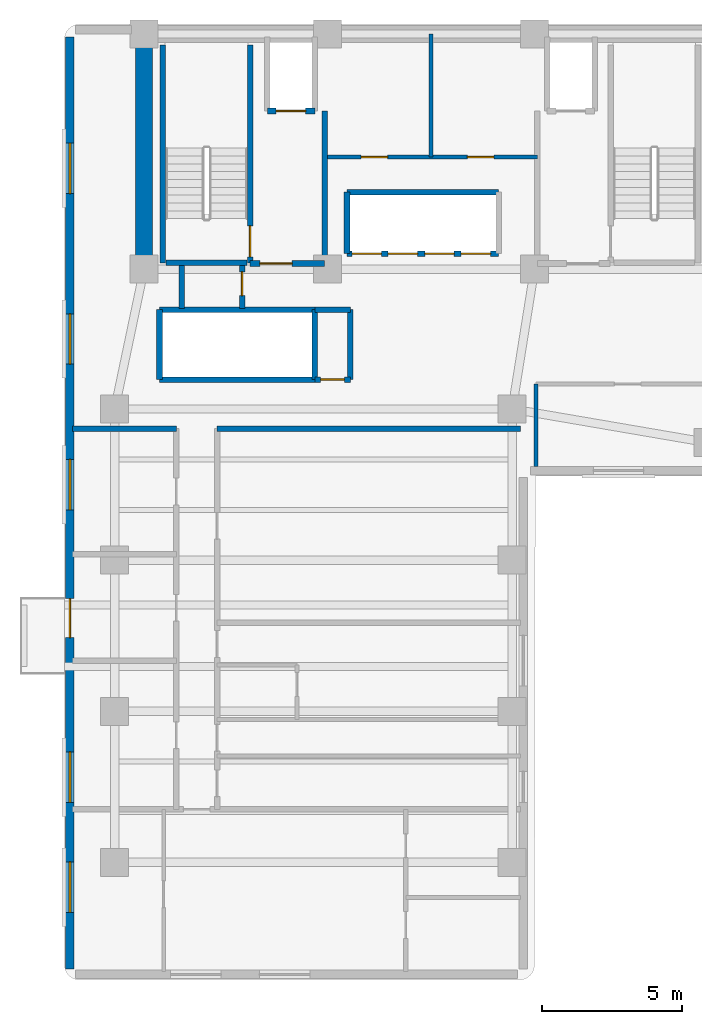
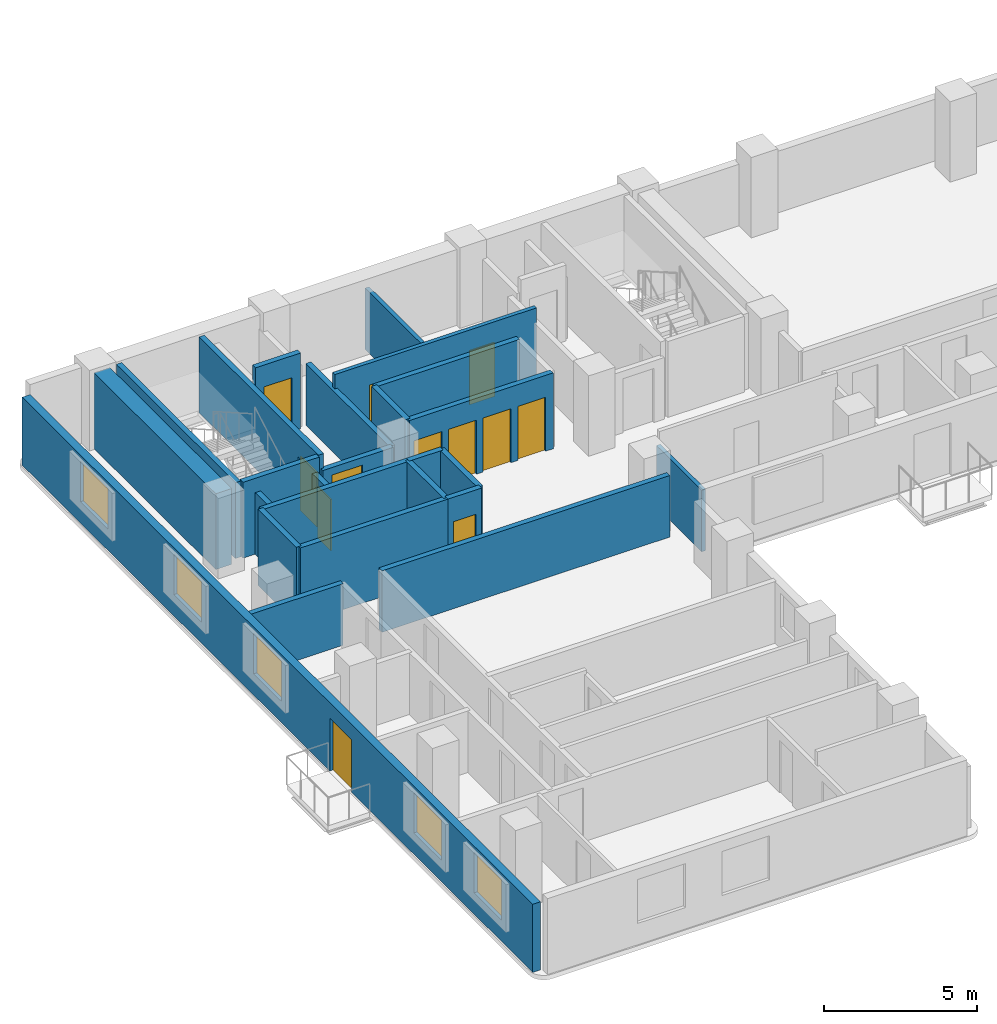
# One storey, part 3 of 7: 25 walls, 12 doors, 5 windows, 17 openings.
"""IFC4 building model written with IfcOpenShell, lengths in metres."""

from ifc_helpers import new_model, si_unit, direction, frame, frame_2d, origin, place, context, subcontext, project, spatial, rectangle, extrude, material, layer, layer_set, type_object, element, fill, save


model = new_model("IFC4")

# Units and contexts
model_context = context("Model", 3, precision=1e-05, world=origin(), true_north=direction((0.0, 1.0)))
body_context = subcontext(model_context, "Body", "Model", "MODEL_VIEW")
ifc_project = project(units=[si_unit("LENGTHUNIT", "METRE"), si_unit("AREAUNIT", "SQUARE_METRE"), si_unit("VOLUMEUNIT", "CUBIC_METRE"), si_unit("PLANEANGLEUNIT", "RADIAN"), si_unit("MASSUNIT", "GRAM", prefix="KILO")], contexts=[model_context])

# Site, building, storey
site_placement = place(None, origin())
site = spatial("IfcSite", under=ifc_project, at=site_placement, CompositionType="ELEMENT")
building_placement = place(site_placement, origin())
building = spatial("IfcBuilding", under=site, at=building_placement, Name="Kuzgunbayir Cultural Tower", CompositionType="ELEMENT")
storey_placement = place(building_placement, frame((0.0, 0.0, 139.39990234375)))
storey = spatial("IfcBuildingStorey", under=building, at=storey_placement, Name="L40", CompositionType="ELEMENT", Elevation=139.39990234375)

# Wall
ifc_material_1 = material(Name="Concrete C60/75", Category="concrete")
ifc_layer_1 = layer(ifc_material_1, 0.60009765625)
ifc_layer_set_1 = layer_set([ifc_layer_1], Name="Concrete C60/75")
wall_type_1 = type_object("IfcWallType", Name="WAL-CORE-600", PredefinedType="SHEAR", material=ifc_layer_set_1)
wall_1_placement = place(storey_placement, frame((6.449951171875, 33.800048828125, 0.0), z_axis=(0.0, 0.0, 1.0), x_axis=(0.0, 1.0, 0.0)))
element("IfcWall", 1, at=wall_1_placement, inside=storey, type_object=wall_type_1, Name="L40 T1 Core West Shear Wall", PredefinedType="SHEAR", context=body_context, shape_type="SweptSolid", body=[
    extrude(rectangle(XDim=7.949951171875, YDim=0.60009765625, at=frame_2d((3.97509765625, 0.0))), origin(), (0.0, 0.0, 1.0), 3.02001953125),
])

# Wall, openings, door, windows
ifc_material_2 = material(Name="Anatolian Cream Limestone", Category="masonry")
ifc_layer_2 = layer(ifc_material_2, 0.300048828125)
ifc_layer_set_2 = layer_set([ifc_layer_2], Name="Anatolian Cream Limestone")
wall_type_2 = type_object("IfcWallType", Name="WAL-EXT-STONE-300", PredefinedType="STANDARD", material=ifc_layer_set_2)
wall_2_placement = place(storey_placement, frame((3.800048828125, 42.10009765625, 0.0), z_axis=(0.0, 0.0, 1.0), x_axis=(0.0, -1.0, 0.0)))
wall_2 = element("IfcWall", 2, at=wall_2_placement, inside=storey, type_object=wall_type_2, Name="L40 Wing A West Limestone Wall", PredefinedType="STANDARD", context=body_context, shape_type="SweptSolid", body=[
    extrude(rectangle(XDim=33.300048828125, YDim=0.300048828125, at=frame_2d((16.64990234375, 0.0))), origin(), (0.0, 0.0, 1.0), 2.710205078125),
])
opening_1_placement = place(wall_2_placement, frame((20.070068359375, 0.0, 0.0)))
opening_1 = element("IfcOpeningElement", 3, at=opening_1_placement, cuts=wall_2, Name="Opening BD-15", PredefinedType="OPENING", context=body_context, shape_type="SweptSolid", body=[
    extrude(rectangle(XDim=1.39990234375, YDim=2.10009765625, at=frame_2d((0.699951171875, 1.050048828125))), frame((0.0, 0.16015625, 0.0), z_axis=(0.0, -1.0, 0.0), x_axis=(1.0, 0.0, 0.0)), (0.0, 0.0, 1.0), 0.320068359375),
])
opening_2_placement = place(wall_2_placement, frame((29.47998046875, 0.0, 0.85009765625)))
opening_2 = element("IfcOpeningElement", 4, at=opening_2_placement, cuts=wall_2, Name="Opening WH-18", PredefinedType="OPENING", context=body_context, shape_type="SweptSolid", body=[
    extrude(rectangle(XDim=1.800048828125, YDim=1.610107421875, at=frame_2d((0.89990234375, 0.80517578125))), frame((0.0, 0.16015625, 0.0), z_axis=(0.0, -1.0, 0.0), x_axis=(1.0, 0.0, 0.0)), (0.0, 0.0, 1.0), 0.320068359375),
])
opening_3_placement = place(wall_2_placement, frame((25.550048828125, 0.0, 0.85009765625)))
opening_3 = element("IfcOpeningElement", 5, at=opening_3_placement, cuts=wall_2, Name="Opening WH-18", PredefinedType="OPENING", context=body_context, shape_type="SweptSolid", body=[
    extrude(rectangle(XDim=1.800048828125, YDim=1.610107421875, at=frame_2d((0.89990234375, 0.80517578125))), frame((0.0, 0.16015625, 0.0), z_axis=(0.0, -1.0, 0.0), x_axis=(1.0, 0.0, 0.0)), (0.0, 0.0, 1.0), 0.320068359375),
])
opening_4_placement = place(wall_2_placement, frame((15.10009765625, 0.0, 0.85009765625)))
opening_4 = element("IfcOpeningElement", 6, at=opening_4_placement, cuts=wall_2, Name="Opening WH-18", PredefinedType="OPENING", context=body_context, shape_type="SweptSolid", body=[
    extrude(rectangle(XDim=1.800048828125, YDim=1.610107421875, at=frame_2d((0.89990234375, 0.80517578125))), frame((0.0, 0.16015625, 0.0), z_axis=(0.0, -1.0, 0.0), x_axis=(1.0, 0.0, 0.0)), (0.0, 0.0, 1.0), 0.320068359375),
])
opening_5_placement = place(wall_2_placement, frame((9.89990234375, 0.0, 0.85009765625)))
opening_5 = element("IfcOpeningElement", 7, at=opening_5_placement, cuts=wall_2, Name="Opening WH-18", PredefinedType="OPENING", context=body_context, shape_type="SweptSolid", body=[
    extrude(rectangle(XDim=1.800048828125, YDim=1.610107421875, at=frame_2d((0.89990234375, 0.80517578125))), frame((0.0, 0.16015625, 0.0), z_axis=(0.0, -1.0, 0.0), x_axis=(1.0, 0.0, 0.0)), (0.0, 0.0, 1.0), 0.320068359375),
])
opening_6_placement = place(wall_2_placement, frame((3.800048828125, 0.0, 0.85009765625)))
opening_6 = element("IfcOpeningElement", 8, at=opening_6_placement, cuts=wall_2, Name="Opening WH-18", PredefinedType="OPENING", context=body_context, shape_type="SweptSolid", body=[
    extrude(rectangle(XDim=1.800048828125, YDim=1.610107421875, at=frame_2d((0.89990234375, 0.80517578125))), frame((0.0, 0.16015625, 0.0), z_axis=(0.0, -1.0, 0.0), x_axis=(1.0, 0.0, 0.0)), (0.0, 0.0, 1.0), 0.320068359375),
])
ifc_material_3 = material(Name="Thermally Broken Glazed Aluminium", Category="aluminium")
door_type_1 = type_object("IfcDoorType", Name="DR-BALCONY-150", OperationType="SLIDING_TO_RIGHT", PredefinedType="DOOR", material=ifc_material_3)
door_1_placement = place(opening_1_placement, origin())
door_1 = element("IfcDoor", 9, at=door_1_placement, inside=storey, type_object=door_type_1, Name="L40 West Balcony Sliding Door BAL-L40-WA2", OperationType="SLIDING_TO_RIGHT", OverallHeight=2.10009765625, OverallWidth=1.39990234375, PredefinedType="DOOR", context=body_context, shape_type="SweptSolid", body=[
    extrude(rectangle(XDim=1.39990234375, YDim=2.10009765625, at=frame_2d((0.699951171875, 1.050048828125))), frame((0.0, 0.02490234375, 0.0), z_axis=(0.0, -1.0, 0.0), x_axis=(1.0, 0.0, 0.0)), (0.0, 0.0, 1.0), 0.050048828125),
])
fill(opening_1, door_1)
ifc_material_4 = material(Name="Solar-Control Triple Glazing", Category="glass")
window_type = type_object("IfcWindowType", Name="WIN-HOTEL-18", PartitioningType="SINGLE_PANEL", PredefinedType="WINDOW", material=ifc_material_4)
window_1_placement = place(opening_2_placement, origin())
window_1 = element("IfcWindow", 10, at=window_1_placement, inside=storey, type_object=window_type, Name="L40 WAW Facade Window 1", OverallHeight=1.610107421875, OverallWidth=1.800048828125, PartitioningType="SINGLE_PANEL", PredefinedType="WINDOW", context=body_context, shape_type="SweptSolid", body=[
    extrude(rectangle(XDim=1.800048828125, YDim=1.610107421875, at=frame_2d((0.89990234375, 0.80517578125))), frame((0.0, 0.030029296875, 0.0), z_axis=(0.0, -1.0, 0.0), x_axis=(1.0, 0.0, 0.0)), (0.0, 0.0, 1.0), 0.06005859375),
])
fill(opening_2, window_1)
window_2_placement = place(opening_3_placement, origin())
window_2 = element("IfcWindow", 11, at=window_2_placement, inside=storey, type_object=window_type, Name="L40 WAW Facade Window 6", OverallHeight=1.610107421875, OverallWidth=1.800048828125, PartitioningType="SINGLE_PANEL", PredefinedType="WINDOW", context=body_context, shape_type="SweptSolid", body=[
    extrude(rectangle(XDim=1.800048828125, YDim=1.610107421875, at=frame_2d((0.89990234375, 0.80517578125))), frame((0.0, 0.030029296875, 0.0), z_axis=(0.0, -1.0, 0.0), x_axis=(1.0, 0.0, 0.0)), (0.0, 0.0, 1.0), 0.06005859375),
])
fill(opening_3, window_2)
window_3_placement = place(opening_4_placement, origin())
window_3 = element("IfcWindow", 12, at=window_3_placement, inside=storey, type_object=window_type, Name="L40 WAW Facade Window 7", OverallHeight=1.610107421875, OverallWidth=1.800048828125, PartitioningType="SINGLE_PANEL", PredefinedType="WINDOW", context=body_context, shape_type="SweptSolid", body=[
    extrude(rectangle(XDim=1.800048828125, YDim=1.610107421875, at=frame_2d((0.89990234375, 0.80517578125))), frame((0.0, 0.030029296875, 0.0), z_axis=(0.0, -1.0, 0.0), x_axis=(1.0, 0.0, 0.0)), (0.0, 0.0, 1.0), 0.06005859375),
])
fill(opening_4, window_3)
window_4_placement = place(opening_5_placement, origin())
window_4 = element("IfcWindow", 13, at=window_4_placement, inside=storey, type_object=window_type, Name="L40 WAW Facade Window 8", OverallHeight=1.610107421875, OverallWidth=1.800048828125, PartitioningType="SINGLE_PANEL", PredefinedType="WINDOW", context=body_context, shape_type="SweptSolid", body=[
    extrude(rectangle(XDim=1.800048828125, YDim=1.610107421875, at=frame_2d((0.89990234375, 0.80517578125))), frame((0.0, 0.030029296875, 0.0), z_axis=(0.0, -1.0, 0.0), x_axis=(1.0, 0.0, 0.0)), (0.0, 0.0, 1.0), 0.06005859375),
])
fill(opening_5, window_4)
window_5_placement = place(opening_6_placement, origin())
window_5 = element("IfcWindow", 14, at=window_5_placement, inside=storey, type_object=window_type, Name="L40 WAW Facade Window 9", OverallHeight=1.610107421875, OverallWidth=1.800048828125, PartitioningType="SINGLE_PANEL", PredefinedType="WINDOW", context=body_context, shape_type="SweptSolid", body=[
    extrude(rectangle(XDim=1.800048828125, YDim=1.610107421875, at=frame_2d((0.89990234375, 0.80517578125))), frame((0.0, 0.030029296875, 0.0), z_axis=(0.0, -1.0, 0.0), x_axis=(1.0, 0.0, 0.0)), (0.0, 0.0, 1.0), 0.06005859375),
])
fill(opening_6, window_5)

# Wall, openings, doors
ifc_material_5 = material(Name="Acoustic Double-Stud Drywall", Category="gypsum")
ifc_layer_3 = layer(ifc_material_5, 0.14990234375)
ifc_layer_set_3 = layer_set([ifc_layer_3], Name="Acoustic Double-Stud Drywall")
wall_type_3 = type_object("IfcWallType", Name="WAL-PART-ACOUSTIC-150", PredefinedType="PARTITIONING", material=ifc_layer_set_3)
wall_3_placement = place(storey_placement, frame((12.89990234375, 37.800048828125, 0.0), z_axis=(0.0, 0.0, 1.0), x_axis=(1.0, 0.0, 0.0)))
wall_3 = element("IfcWall", 15, at=wall_3_placement, inside=storey, type_object=wall_type_3, Name="L40 Repurposed Core Suite Wall", PredefinedType="PARTITIONING", context=body_context, shape_type="SweptSolid", body=[
    extrude(rectangle(XDim=7.60009765625, YDim=0.14990234375, at=frame_2d((3.800048828125, 0.0))), origin(), (0.0, 0.0, 1.0), 3.02001953125),
])
opening_7_placement = place(wall_3_placement, frame((1.300048828125, 0.0, 0.0)))
opening_7 = element("IfcOpeningElement", 16, at=opening_7_placement, cuts=wall_3, Name="Opening DC-95", PredefinedType="OPENING", context=body_context, shape_type="SweptSolid", body=[
    extrude(rectangle(XDim=0.949951171875, YDim=2.14990234375, at=frame_2d((0.47509765625, 1.074951171875))), frame((0.0, 0.0849609375, 0.0), z_axis=(0.0, -1.0, 0.0), x_axis=(1.0, 0.0, 0.0)), (0.0, 0.0, 1.0), 0.169921875),
])
opening_8_placement = place(wall_3_placement, frame((5.10009765625, 0.0, 0.0)))
opening_8 = element("IfcOpeningElement", 17, at=opening_8_placement, cuts=wall_3, Name="Opening DC-95", PredefinedType="OPENING", context=body_context, shape_type="SweptSolid", body=[
    extrude(rectangle(XDim=0.949951171875, YDim=2.14990234375, at=frame_2d((0.47509765625, 1.074951171875))), frame((0.0, 0.0849609375, 0.0), z_axis=(0.0, -1.0, 0.0), x_axis=(1.0, 0.0, 0.0)), (0.0, 0.0, 1.0), 0.169921875),
])
ifc_material_6 = material(Name="Fire-Rated Veneered Oak Leaf", Category="wood")
door_type_2 = type_object("IfcDoorType", Name="DR-CORE-95", OperationType="NOTDEFINED", PredefinedType="DOOR", material=ifc_material_6)
door_2_placement = place(opening_7_placement, origin())
door_2 = element("IfcDoor", 18, at=door_2_placement, inside=storey, type_object=door_type_2, Name="L40 Focus Room Door", OperationType="SINGLE_SWING_LEFT", OverallHeight=2.14990234375, OverallWidth=0.949951171875, PredefinedType="DOOR", context=body_context, shape_type="SweptSolid", body=[
    extrude(rectangle(XDim=0.949951171875, YDim=2.14990234375, at=frame_2d((0.47509765625, 1.074951171875))), frame((0.0, 0.02490234375, 0.0), z_axis=(0.0, -1.0, 0.0), x_axis=(1.0, 0.0, 0.0)), (0.0, 0.0, 1.0), 0.050048828125),
])
fill(opening_7, door_2)
door_3_placement = place(opening_8_placement, origin())
door_3 = element("IfcDoor", 19, at=door_3_placement, inside=storey, type_object=door_type_2, Name="L40 Core Linen Room Door", OperationType="SINGLE_SWING_RIGHT", OverallHeight=2.14990234375, OverallWidth=0.949951171875, PredefinedType="DOOR", context=body_context, shape_type="SweptSolid", body=[
    extrude(rectangle(XDim=0.949951171875, YDim=2.14990234375, at=frame_2d((0.47509765625, 1.074951171875))), frame((0.0, 0.02490234375, 0.0), z_axis=(0.0, -1.0, 0.0), x_axis=(1.0, 0.0, 0.0)), (0.0, 0.0, 1.0), 0.050048828125),
])
fill(opening_8, door_3)

# Walls
wall_4_placement = place(storey_placement, frame((16.699951171875, 37.800048828125, 0.0), z_axis=(0.0, 0.0, 1.0), x_axis=(0.0, 1.0, 0.0)))
element("IfcWall", 20, at=wall_4_placement, inside=storey, type_object=wall_type_3, Name="L40 Core Study Partition", PredefinedType="PARTITIONING", context=body_context, shape_type="SweptSolid", body=[
    extrude(rectangle(XDim=4.39990234375, YDim=0.14990234375, at=frame_2d((2.199951171875, 0.0))), origin(), (0.0, 0.0, 1.0), 2.4501953125),
])
wall_5_placement = place(storey_placement, frame((20.449951171875, 26.75, 0.0), z_axis=(0.0, 0.0, 1.0), x_axis=(0.0, 1.0, 0.0)))
element("IfcWall", 21, at=wall_5_placement, inside=storey, type_object=wall_type_3, Name="L40 Waist Alcove West Wall", PredefinedType="PARTITIONING", context=body_context, shape_type="SweptSolid", body=[
    extrude(rectangle(XDim=2.949951171875, YDim=0.14990234375, at=frame_2d((1.47509765625, 0.0))), origin(), (0.0, 0.0, 1.0), 2.4501953125),
])
ifc_material_7 = material(Name="Aerated Concrete Blockwork", Category="masonry")
ifc_layer_4 = layer(ifc_material_7, 0.199951171875)
ifc_layer_set_4 = layer_set([ifc_layer_4], Name="Aerated Concrete Blockwork")
wall_type_4 = type_object("IfcWallType", Name="WAL-PART-FIRE-200", PredefinedType="PARTITIONING", material=ifc_layer_set_4)
wall_6_placement = place(storey_placement, frame((12.89990234375, 34.0, 0.0), z_axis=(0.0, 0.0, 1.0), x_axis=(0.0, 1.0, 0.0)))
element("IfcWall", 22, at=wall_6_placement, inside=storey, type_object=wall_type_4, Name="L40 FFL-1 Lobby East Fire Wall", PredefinedType="PARTITIONING", context=body_context, shape_type="SweptSolid", body=[
    extrude(rectangle(XDim=5.449951171875, YDim=0.199951171875, at=frame_2d((2.72509765625, 0.0))), origin(), (0.0, 0.0, 1.0), 2.4501953125),
])

# Wall, opening, door
wall_7_placement = place(storey_placement, frame((10.239990234375, 34.0, 0.0), z_axis=(0.0, 0.0, 1.0), x_axis=(1.0, 0.0, 0.0)))
wall_7 = element("IfcWall", 23, at=wall_7_placement, inside=storey, type_object=wall_type_4, Name="L40 FFL-1 Lobby South Fire Wall", PredefinedType="PARTITIONING", context=body_context, shape_type="SweptSolid", body=[
    extrude(rectangle(XDim=2.659912109375, YDim=0.199951171875, at=frame_2d((1.330078125, 0.0))), origin(), (0.0, 0.0, 1.0), 2.4501953125),
])
opening_9_placement = place(wall_7_placement, frame((0.35009765625, 0.0, 0.0)))
opening_9 = element("IfcOpeningElement", 24, at=opening_9_placement, cuts=wall_7, Name="Opening DR-FFL-90", PredefinedType="OPENING", context=body_context, shape_type="SweptSolid", body=[
    extrude(rectangle(XDim=1.14990234375, YDim=2.14990234375, at=frame_2d((0.574951171875, 1.074951171875))), frame((0.0, 0.10986328125, 0.0), z_axis=(0.0, -1.0, 0.0), x_axis=(1.0, 0.0, 0.0)), (0.0, 0.0, 1.0), 0.219970703125),
])
ifc_material_8 = material(Name="Steel S355J2", Category="steel")
door_type_3 = type_object("IfcDoorType", Name="DR-FFL-90", OperationType="NOTDEFINED", PredefinedType="DOOR", material=ifc_material_8)
door_4_placement = place(opening_9_placement, origin())
door_4 = element("IfcDoor", 25, at=door_4_placement, inside=storey, type_object=door_type_3, Name="L40 Firefighting Lobby 1 Door", OperationType="SINGLE_SWING_LEFT", OverallHeight=2.14990234375, OverallWidth=1.14990234375, PredefinedType="DOOR", context=body_context, shape_type="SweptSolid", body=[
    extrude(rectangle(XDim=1.14990234375, YDim=2.14990234375, at=frame_2d((0.574951171875, 1.074951171875))), frame((0.0, 0.02490234375, 0.0), z_axis=(0.0, -1.0, 0.0), x_axis=(1.0, 0.0, 0.0)), (0.0, 0.0, 1.0), 0.050048828125),
])
fill(opening_9, door_4)

wall_8_placement = place(storey_placement, frame((12.550048828125, 29.85009765625, 0.0), z_axis=(0.0, 0.0, 1.0), x_axis=(1.0, 0.0, 0.0)))
wall_8 = element("IfcWall", 26, at=wall_8_placement, inside=storey, type_object=wall_type_4, Name="L40 Center Core Switchgear South Wall", PredefinedType="PARTITIONING", context=body_context, shape_type="SweptSolid", body=[
    extrude(rectangle(XDim=1.27001953125, YDim=0.199951171875, at=frame_2d((0.635009765625, 0.0))), origin(), (0.0, 0.0, 1.0), 3.02001953125),
])
opening_10_placement = place(wall_8_placement, frame((0.2099609375, 0.0, 0.0)))
opening_10 = element("IfcOpeningElement", 27, at=opening_10_placement, cuts=wall_8, Name="Opening DR-RSR-60", PredefinedType="OPENING", context=body_context, shape_type="SweptSolid", body=[
    extrude(rectangle(XDim=0.85009765625, YDim=2.050048828125, at=frame_2d((0.425048828125, 1.02490234375))), frame((0.0, 0.10986328125, 0.0), z_axis=(0.0, -1.0, 0.0), x_axis=(1.0, 0.0, 0.0)), (0.0, 0.0, 1.0), 0.219970703125),
])
ifc_material_9 = material(Name="Steel Access Leaf", Category="steel")
door_type_4 = type_object("IfcDoorType", Name="DR-RISER-60", OperationType="NOTDEFINED", PredefinedType="DOOR", material=ifc_material_9)
door_5_placement = place(opening_10_placement, origin())
door_5 = element("IfcDoor", 28, at=door_5_placement, inside=storey, type_object=door_type_4, Name="L40 Electrical Switchgear Closet Door", OperationType="SINGLE_SWING_LEFT", OverallHeight=2.050048828125, OverallWidth=0.85009765625, PredefinedType="DOOR", context=body_context, shape_type="SweptSolid", body=[
    extrude(rectangle(XDim=0.85009765625, YDim=2.050048828125, at=frame_2d((0.425048828125, 1.02490234375))), frame((0.0, 0.02490234375, 0.0), z_axis=(0.0, -1.0, 0.0), x_axis=(1.0, 0.0, 0.0)), (0.0, 0.0, 1.0), 0.050048828125),
])
fill(opening_10, door_5)

# Walls
wall_9_placement = place(storey_placement, frame((13.820068359375, 29.85009765625, 0.0), z_axis=(0.0, 0.0, 1.0), x_axis=(0.0, 1.0, 0.0)))
element("IfcWall", 29, at=wall_9_placement, inside=storey, type_object=wall_type_4, Name="L40 Center Core Switchgear East Wall", PredefinedType="PARTITIONING", context=body_context, shape_type="SweptSolid", body=[
    extrude(rectangle(XDim=2.5, YDim=0.199951171875, at=frame_2d((1.25, 0.0))), origin(), (0.0, 0.0, 1.0), 3.02001953125),
])
wall_10_placement = place(storey_placement, frame((12.550048828125, 32.35009765625, 0.0), z_axis=(0.0, 0.0, 1.0), x_axis=(1.0, 0.0, 0.0)))
element("IfcWall", 30, at=wall_10_placement, inside=storey, type_object=wall_type_4, Name="L40 Center Core Switchgear North Wall", PredefinedType="PARTITIONING", context=body_context, shape_type="SweptSolid", body=[
    extrude(rectangle(XDim=1.27001953125, YDim=0.199951171875, at=frame_2d((0.635009765625, 0.0))), origin(), (0.0, 0.0, 1.0), 3.02001953125),
])
wall_11_placement = place(storey_placement, frame((7.800048828125, 32.39990234375, 0.0), z_axis=(0.0, 0.0, 1.0), x_axis=(0.0, 1.0, 0.0)))
element("IfcWall", 31, at=wall_11_placement, inside=storey, type_object=wall_type_4, Name="L40 West Core Electrical Closet West Wall", PredefinedType="PARTITIONING", context=body_context, shape_type="SweptSolid", body=[
    extrude(rectangle(XDim=1.52001953125, YDim=0.199951171875, at=frame_2d((0.760009765625, 0.0))), origin(), (0.0, 0.0, 1.0), 2.4501953125),
])

# Wall, opening, door
wall_12_placement = place(storey_placement, frame((9.949951171875, 32.39990234375, 0.0), z_axis=(0.0, 0.0, 1.0), x_axis=(0.0, 1.0, 0.0)))
wall_12 = element("IfcWall", 32, at=wall_12_placement, inside=storey, type_object=wall_type_4, Name="L40 West Core Electrical Closet East Wall", PredefinedType="PARTITIONING", context=body_context, shape_type="SweptSolid", body=[
    extrude(rectangle(XDim=1.52001953125, YDim=0.199951171875, at=frame_2d((0.760009765625, 0.0))), origin(), (0.0, 0.0, 1.0), 2.4501953125),
])
opening_11_placement = place(wall_12_placement, frame((0.449951171875, 0.0, 0.0)))
opening_11 = element("IfcOpeningElement", 33, at=opening_11_placement, cuts=wall_12, Name="Opening DR-RSR-60", PredefinedType="OPENING", context=body_context, shape_type="SweptSolid", body=[
    extrude(rectangle(XDim=0.85009765625, YDim=2.050048828125, at=frame_2d((0.425048828125, 1.02490234375))), frame((0.0, 0.10986328125, 0.0), z_axis=(0.0, -1.0, 0.0), x_axis=(1.0, 0.0, 0.0)), (0.0, 0.0, 1.0), 0.219970703125),
])
door_6_placement = place(opening_11_placement, origin())
door_6 = element("IfcDoor", 34, at=door_6_placement, inside=storey, type_object=door_type_4, Name="L40 West Core Switchgear Closet Door", OperationType="SINGLE_SWING_RIGHT", OverallHeight=2.050048828125, OverallWidth=0.85009765625, PredefinedType="DOOR", context=body_context, shape_type="SweptSolid", body=[
    extrude(rectangle(XDim=0.85009765625, YDim=2.050048828125, at=frame_2d((0.425048828125, 1.02490234375))), frame((0.0, 0.02490234375, 0.0), z_axis=(0.0, -1.0, 0.0), x_axis=(1.0, 0.0, 0.0)), (0.0, 0.0, 1.0), 0.050048828125),
])
fill(opening_11, door_6)

# Walls
wall_13_placement = place(storey_placement, frame((3.89990234375, 28.10009765625, 0.0), z_axis=(0.0, 0.0, 1.0), x_axis=(1.0, 0.0, 0.0)))
element("IfcWall", 35, at=wall_13_placement, inside=storey, type_object=wall_type_4, Name="L40 North West Partition", PredefinedType="PARTITIONING", context=body_context, shape_type="SweptSolid", body=[
    extrude(rectangle(XDim=3.7001953125, YDim=0.199951171875, at=frame_2d((1.85009765625, 0.0))), origin(), (0.0, 0.0, 1.0), 2.4501953125),
])
wall_14_placement = place(storey_placement, frame((9.06005859375, 28.10009765625, 0.0), z_axis=(0.0, 0.0, 1.0), x_axis=(1.0, 0.0, 0.0)))
element("IfcWall", 36, at=wall_14_placement, inside=storey, type_object=wall_type_4, Name="L40 North East Partition", PredefinedType="PARTITIONING", context=body_context, shape_type="SweptSolid", body=[
    extrude(rectangle(XDim=10.83984375, YDim=0.199951171875, at=frame_2d((5.419921875, 0.0))), origin(), (0.0, 0.0, 1.0), 2.4501953125),
])
ifc_material_10 = material(Name="Concrete C40/50", Category="concrete")
ifc_layer_5 = layer(ifc_material_10, 0.199951171875)
ifc_layer_set_5 = layer_set([ifc_layer_5], Name="Concrete C40/50")
wall_type_5 = type_object("IfcWallType", Name="WAL-SHAFT-200", PredefinedType="MOVABLE", material=ifc_layer_set_5)
for number, where, z_axis, x_axis, name in (
    (37, (7.0, 29.85009765625, 0.0), (0.0, 0.0, 1.0), (1.0, 0.0, 0.0), "L40 High-Rise Lift Shaft South Wall"),
    (38, (7.0, 32.35009765625, 0.0), (0.0, 0.0, 1.0), (1.0, 0.0, 0.0), "L40 High-Rise Lift Shaft North Wall"),
):
    element("IfcWall", number, at=place(storey_placement, frame(where, z_axis=z_axis, x_axis=x_axis)), inside=storey, type_object=wall_type_5, Name=name, PredefinedType="MOVABLE", context=body_context, shape_type="SweptSolid", body=[
        extrude(rectangle(XDim=5.550048828125, YDim=0.199951171875, at=frame_2d((2.77490234375, 0.0))), origin(), (0.0, 0.0, 1.0), 3.02001953125),
    ])
for number, where, z_axis, x_axis, name in (
    (39, (7.0, 29.85009765625, 0.0), (0.0, 0.0, 1.0), (0.0, 1.0, 0.0), "L40 High-Rise Lift Shaft West Wall"),
    (40, (12.550048828125, 29.85009765625, 0.0), (0.0, 0.0, 1.0), (0.0, 1.0, 0.0), "L40 High-Rise Lift Shaft East Wall"),
):
    element("IfcWall", number, at=place(storey_placement, frame(where, z_axis=z_axis, x_axis=x_axis)), inside=storey, type_object=wall_type_5, Name=name, PredefinedType="MOVABLE", context=body_context, shape_type="SweptSolid", body=[
        extrude(rectangle(XDim=2.5, YDim=0.199951171875, at=frame_2d((1.25, 0.0))), origin(), (0.0, 0.0, 1.0), 3.02001953125),
    ])

# Wall, opening, door
wall_15_placement = place(storey_placement, frame((10.85009765625, 39.449951171875, 0.0), z_axis=(0.0, 0.0, 1.0), x_axis=(1.0, 0.0, 0.0)))
wall_15 = element("IfcWall", 41, at=wall_15_placement, inside=storey, type_object=wall_type_5, Name="L40 FFL-1 Lift Front Wall", PredefinedType="MOVABLE", context=body_context, shape_type="SweptSolid", body=[
    extrude(rectangle(XDim=1.699951171875, YDim=0.199951171875, at=frame_2d((0.85009765625, 0.0))), origin(), (0.0, 0.0, 1.0), 3.02001953125),
])
opening_12_placement = place(wall_15_placement, frame((0.320068359375, 0.0, 0.0)))
opening_12 = element("IfcOpeningElement", 42, at=opening_12_placement, cuts=wall_15, Name="Opening LD", PredefinedType="OPENING", context=body_context, shape_type="SweptSolid", body=[
    extrude(rectangle(XDim=1.050048828125, YDim=2.14990234375, at=frame_2d((0.52490234375, 1.074951171875))), frame((0.0, 0.10986328125, 0.0), z_axis=(0.0, -1.0, 0.0), x_axis=(1.0, 0.0, 0.0)), (0.0, 0.0, 1.0), 0.219970703125),
])
ifc_material_11 = material(Name="Brushed Stainless Steel", Category="steel")
door_type_5 = type_object("IfcDoorType", Name="DR-LIFT-LANDING", OperationType="SLIDING_TO_LEFT", PredefinedType="DOOR", material=ifc_material_11)
door_7_placement = place(opening_12_placement, origin())
door_7 = element("IfcDoor", 43, at=door_7_placement, inside=storey, type_object=door_type_5, Name="L40 Lift FFL-1 Landing Door", OperationType="SLIDING_TO_LEFT", OverallHeight=2.14990234375, OverallWidth=1.050048828125, PredefinedType="DOOR", context=body_context, shape_type="SweptSolid", body=[
    extrude(rectangle(XDim=1.050048828125, YDim=2.14990234375, at=frame_2d((0.52490234375, 1.074951171875))), frame((0.0, 0.02490234375, 0.0), z_axis=(0.0, -1.0, 0.0), x_axis=(1.0, 0.0, 0.0)), (0.0, 0.0, 1.0), 0.050048828125),
])
fill(opening_12, door_7)

# Wall, openings, doors
wall_16_placement = place(storey_placement, frame((13.699951171875, 34.35009765625, 0.0), z_axis=(0.0, 0.0, 1.0), x_axis=(1.0, 0.0, 0.0)))
wall_16 = element("IfcWall", 44, at=wall_16_placement, inside=storey, type_object=wall_type_5, Name="L40 Mid-Rise Lift Front Wall", PredefinedType="MOVABLE", context=body_context, shape_type="SweptSolid", body=[
    extrude(rectangle(XDim=5.420166015625, YDim=0.199951171875, at=frame_2d((2.7099609375, 0.0))), origin(), (0.0, 0.0, 1.0), 3.02001953125),
])
opening_13_placement = place(wall_16_placement, frame((0.179931640625, 0.0, 0.0)))
opening_13 = element("IfcOpeningElement", 45, at=opening_13_placement, cuts=wall_16, Name="Opening LD", PredefinedType="OPENING", context=body_context, shape_type="SweptSolid", body=[
    extrude(rectangle(XDim=1.050048828125, YDim=2.14990234375, at=frame_2d((0.52490234375, 1.074951171875))), frame((0.0, 0.10986328125, 0.0), z_axis=(0.0, -1.0, 0.0), x_axis=(1.0, 0.0, 0.0)), (0.0, 0.0, 1.0), 0.219970703125),
])
opening_14_placement = place(wall_16_placement, frame((1.469970703125, 0.0, 0.0)))
opening_14 = element("IfcOpeningElement", 46, at=opening_14_placement, cuts=wall_16, Name="Opening LD", PredefinedType="OPENING", context=body_context, shape_type="SweptSolid", body=[
    extrude(rectangle(XDim=1.050048828125, YDim=2.14990234375, at=frame_2d((0.52490234375, 1.074951171875))), frame((0.0, 0.10986328125, 0.0), z_axis=(0.0, -1.0, 0.0), x_axis=(1.0, 0.0, 0.0)), (0.0, 0.0, 1.0), 0.219970703125),
])
opening_15_placement = place(wall_16_placement, frame((2.780029296875, 0.0, 0.0)))
opening_15 = element("IfcOpeningElement", 47, at=opening_15_placement, cuts=wall_16, Name="Opening LD", PredefinedType="OPENING", context=body_context, shape_type="SweptSolid", body=[
    extrude(rectangle(XDim=1.050048828125, YDim=2.14990234375, at=frame_2d((0.52490234375, 1.074951171875))), frame((0.0, 0.10986328125, 0.0), z_axis=(0.0, -1.0, 0.0), x_axis=(1.0, 0.0, 0.0)), (0.0, 0.0, 1.0), 0.219970703125),
])
opening_16_placement = place(wall_16_placement, frame((4.080078125, 0.0, 0.0)))
opening_16 = element("IfcOpeningElement", 48, at=opening_16_placement, cuts=wall_16, Name="Opening LD", PredefinedType="OPENING", context=body_context, shape_type="SweptSolid", body=[
    extrude(rectangle(XDim=1.050048828125, YDim=2.14990234375, at=frame_2d((0.52490234375, 1.074951171875))), frame((0.0, 0.10986328125, 0.0), z_axis=(0.0, -1.0, 0.0), x_axis=(1.0, 0.0, 0.0)), (0.0, 0.0, 1.0), 0.219970703125),
])
door_8_placement = place(opening_13_placement, origin())
door_8 = element("IfcDoor", 49, at=door_8_placement, inside=storey, type_object=door_type_5, Name="L40 Lift PM-1 Landing Door", OperationType="SLIDING_TO_LEFT", OverallHeight=2.14990234375, OverallWidth=1.050048828125, PredefinedType="DOOR", context=body_context, shape_type="SweptSolid", body=[
    extrude(rectangle(XDim=1.050048828125, YDim=2.14990234375, at=frame_2d((0.52490234375, 1.074951171875))), frame((0.0, 0.02490234375, 0.0), z_axis=(0.0, -1.0, 0.0), x_axis=(1.0, 0.0, 0.0)), (0.0, 0.0, 1.0), 0.050048828125),
])
fill(opening_13, door_8)
door_9_placement = place(opening_14_placement, origin())
door_9 = element("IfcDoor", 50, at=door_9_placement, inside=storey, type_object=door_type_5, Name="L40 Lift PM-2 Landing Door", OperationType="SLIDING_TO_LEFT", OverallHeight=2.14990234375, OverallWidth=1.050048828125, PredefinedType="DOOR", context=body_context, shape_type="SweptSolid", body=[
    extrude(rectangle(XDim=1.050048828125, YDim=2.14990234375, at=frame_2d((0.52490234375, 1.074951171875))), frame((0.0, 0.02490234375, 0.0), z_axis=(0.0, -1.0, 0.0), x_axis=(1.0, 0.0, 0.0)), (0.0, 0.0, 1.0), 0.050048828125),
])
fill(opening_14, door_9)
door_10_placement = place(opening_15_placement, origin())
door_10 = element("IfcDoor", 51, at=door_10_placement, inside=storey, type_object=door_type_5, Name="L40 Lift PM-3 Landing Door", OperationType="SLIDING_TO_LEFT", OverallHeight=2.14990234375, OverallWidth=1.050048828125, PredefinedType="DOOR", context=body_context, shape_type="SweptSolid", body=[
    extrude(rectangle(XDim=1.050048828125, YDim=2.14990234375, at=frame_2d((0.52490234375, 1.074951171875))), frame((0.0, 0.02490234375, 0.0), z_axis=(0.0, -1.0, 0.0), x_axis=(1.0, 0.0, 0.0)), (0.0, 0.0, 1.0), 0.050048828125),
])
fill(opening_15, door_10)
door_11_placement = place(opening_16_placement, origin())
door_11 = element("IfcDoor", 52, at=door_11_placement, inside=storey, type_object=door_type_5, Name="L40 Lift PM-4 Landing Door", OperationType="SLIDING_TO_LEFT", OverallHeight=2.14990234375, OverallWidth=1.050048828125, PredefinedType="DOOR", context=body_context, shape_type="SweptSolid", body=[
    extrude(rectangle(XDim=1.050048828125, YDim=2.14990234375, at=frame_2d((0.52490234375, 1.074951171875))), frame((0.0, 0.02490234375, 0.0), z_axis=(0.0, -1.0, 0.0), x_axis=(1.0, 0.0, 0.0)), (0.0, 0.0, 1.0), 0.050048828125),
])
fill(opening_16, door_11)

# Walls
wall_17_placement = place(storey_placement, frame((13.699951171875, 36.550048828125, 0.0), z_axis=(0.0, 0.0, 1.0), x_axis=(1.0, 0.0, 0.0)))
element("IfcWall", 53, at=wall_17_placement, inside=storey, type_object=wall_type_5, Name="L40 Mid-Rise Lift Shaft North Wall", PredefinedType="MOVABLE", context=body_context, shape_type="SweptSolid", body=[
    extrude(rectangle(XDim=5.420166015625, YDim=0.199951171875, at=frame_2d((2.7099609375, 0.0))), origin(), (0.0, 0.0, 1.0), 3.02001953125),
])
wall_18_placement = place(storey_placement, frame((13.699951171875, 34.35009765625, 0.0), z_axis=(0.0, 0.0, 1.0), x_axis=(0.0, 1.0, 0.0)))
element("IfcWall", 54, at=wall_18_placement, inside=storey, type_object=wall_type_5, Name="L40 Mid-Rise Lift Shaft West Wall", PredefinedType="MOVABLE", context=body_context, shape_type="SweptSolid", body=[
    extrude(rectangle(XDim=2.199951171875, YDim=0.199951171875, at=frame_2d((1.10009765625, 0.0))), origin(), (0.0, 0.0, 1.0), 3.02001953125),
])
ifc_layer_6 = layer(ifc_material_10, 0.199951171875)
ifc_layer_set_6 = layer_set([ifc_layer_6], Name="Concrete C40/50")
wall_type_6 = type_object("IfcWallType", Name="WAL-STAIR-RC-200", PredefinedType="SHEAR", material=ifc_layer_set_6)
wall_19_placement = place(storey_placement, frame((7.1201171875, 34.02001953125, 0.0), z_axis=(0.0, 0.0, 1.0), x_axis=(0.0, 1.0, 0.0)))
element("IfcWall", 55, at=wall_19_placement, inside=storey, type_object=wall_type_6, Name="L40 Stair ST-1 West Structural Wall", PredefinedType="SHEAR", context=body_context, shape_type="SweptSolid", body=[
    extrude(rectangle(XDim=7.780029296875, YDim=0.199951171875, at=frame_2d((3.89013671875, 0.0))), origin(), (0.0, 0.0, 1.0), 3.02001953125),
])

# Wall, opening, door
wall_20_placement = place(storey_placement, frame((10.239990234375, 34.02001953125, 0.0), z_axis=(0.0, 0.0, 1.0), x_axis=(0.0, 1.0, 0.0)))
wall_20 = element("IfcWall", 56, at=wall_20_placement, inside=storey, type_object=wall_type_6, Name="L40 Stair ST-1 East Structural Wall", PredefinedType="SHEAR", context=body_context, shape_type="SweptSolid", body=[
    extrude(rectangle(XDim=7.780029296875, YDim=0.199951171875, at=frame_2d((3.89013671875, 0.0))), origin(), (0.0, 0.0, 1.0), 3.02001953125),
])
opening_17_placement = place(wall_20_placement, frame((0.219970703125, 0.0, 0.0)))
opening_17 = element("IfcOpeningElement", 57, at=opening_17_placement, cuts=wall_20, Name="Opening DR-STAIR-90", PredefinedType="OPENING", context=body_context, shape_type="SweptSolid", body=[
    extrude(rectangle(XDim=1.10009765625, YDim=2.14990234375, at=frame_2d((0.550048828125, 1.074951171875))), frame((0.0, 0.10986328125, 0.0), z_axis=(0.0, -1.0, 0.0), x_axis=(1.0, 0.0, 0.0)), (0.0, 0.0, 1.0), 0.219970703125),
])
door_type_6 = type_object("IfcDoorType", Name="DR-STAIR-90", OperationType="NOTDEFINED", PredefinedType="DOOR", material=ifc_material_8)
door_12_placement = place(opening_17_placement, origin())
door_12 = element("IfcDoor", 58, at=door_12_placement, inside=storey, type_object=door_type_6, Name="L40 Stair ST-1 Fire Door", OperationType="SINGLE_SWING_RIGHT", OverallHeight=2.14990234375, OverallWidth=1.10009765625, PredefinedType="DOOR", context=body_context, shape_type="SweptSolid", body=[
    extrude(rectangle(XDim=1.10009765625, YDim=2.14990234375, at=frame_2d((0.550048828125, 1.074951171875))), frame((0.0, 0.02490234375, 0.0), z_axis=(0.0, -1.0, 0.0), x_axis=(1.0, 0.0, 0.0)), (0.0, 0.0, 1.0), 0.050048828125),
])
fill(opening_17, door_12)

# Wall
wall_21_placement = place(storey_placement, frame((7.239990234375, 34.02001953125, 0.0), z_axis=(0.0, 0.0, 1.0), x_axis=(1.0, 0.0, 0.0)))
element("IfcWall", 59, at=wall_21_placement, inside=storey, type_object=wall_type_6, Name="L40 Stair ST-1 South Structural Wall", PredefinedType="SHEAR", context=body_context, shape_type="SweptSolid", body=[
    extrude(rectangle(XDim=2.880126953125, YDim=0.199951171875, at=frame_2d((1.43994140625, 0.0))), origin(), (0.0, 0.0, 1.0), 3.02001953125),
])

save(model, "model.ifc")
